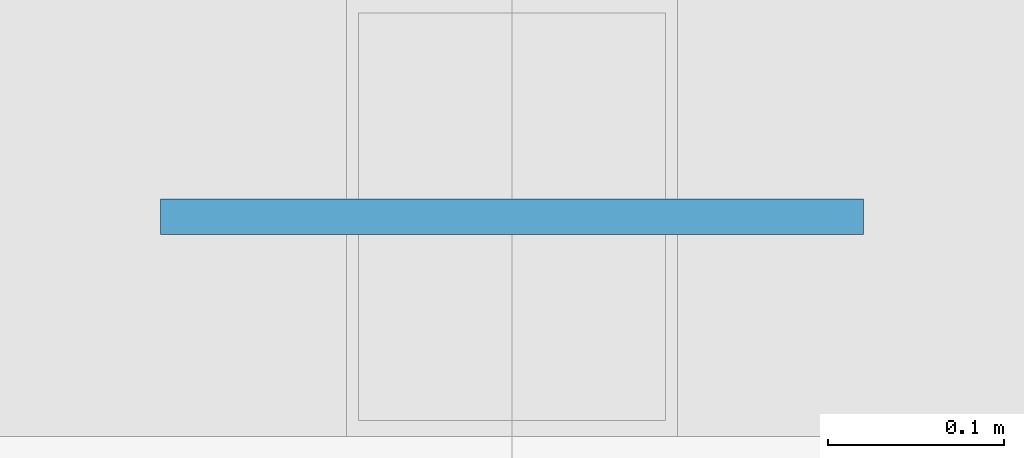
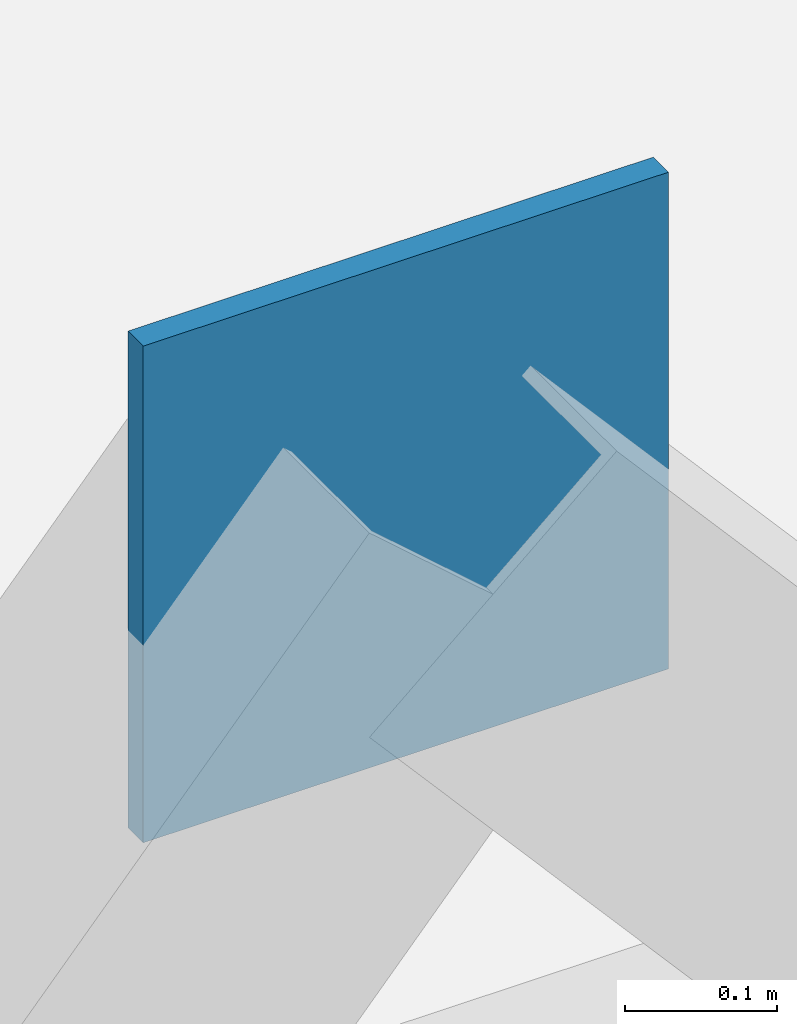
# One storey, part 90 of 180: 1 plate.
"""IFC4 building model written with IfcOpenShell, lengths in metres."""

from ifc_helpers import new_model, si_unit, direction, frame, origin, origin_2d, place, context, subcontext, project, spatial, rectangle, extrude, material, layer, layer_set, type_object, element, save


model = new_model("IFC4")

# Units and contexts
model_context = context("Model", 3, precision=1e-05, world=origin(), true_north=direction((0.0, 1.0)))
body_context = subcontext(model_context, "Body", "Model", "MODEL_VIEW")
ifc_project = project(units=[si_unit("LENGTHUNIT", "METRE"), si_unit("AREAUNIT", "SQUARE_METRE"), si_unit("VOLUMEUNIT", "CUBIC_METRE"), si_unit("PLANEANGLEUNIT", "RADIAN"), si_unit("MASSUNIT", "GRAM", prefix="KILO"), si_unit("THERMODYNAMICTEMPERATUREUNIT", "KELVIN"), si_unit("POWERUNIT", "WATT")], contexts=[model_context])

# Site, building, storey
site_placement = place(None, origin())
site = spatial("IfcSite", under=ifc_project, at=site_placement, CompositionType="ELEMENT")
building_placement = place(site_placement, origin())
building = spatial("IfcBuilding", under=site, at=building_placement, Name="Tallowbark Science Centre", CompositionType="ELEMENT")
storey_placement = place(building_placement, origin())
storey = spatial("IfcBuildingStorey", under=building, at=storey_placement, Name="L00", CompositionType="ELEMENT", Elevation=0.0)

# Plate
ifc_material = material(Name="Structural Steel Grade 300PLUS (300 MPa)", Category="steel")
ifc_layer = layer(ifc_material, 0.02001953125)
ifc_layer_set = layer_set([ifc_layer], Name="Structural Steel Grade 300PLUS (300 MPa)")
plate_type = type_object("IfcPlateType", Name="PLT-GUS-20", PredefinedType="SHEET", material=ifc_layer_set)
plate_placement = place(storey_placement, frame((85.5, 99.0, 4.949951171875), z_axis=(0.0, 0.0, 1.0), x_axis=(1.0, 0.0, 0.0)))
element("IfcPlate", 1, at=plate_placement, inside=storey, type_object=plate_type, Name="Chevron Brace Apex Gusset CBF-LAB-N1 L00", PredefinedType="SHEET", context=body_context, shape_type="SweptSolid", body=[
    extrude(rectangle(XDim=0.39990234375, YDim=0.02001953125, at=origin_2d()), origin(), (0.0, 0.0, 1.0), 0.39990234375),
])

save(model, "model.ifc")
